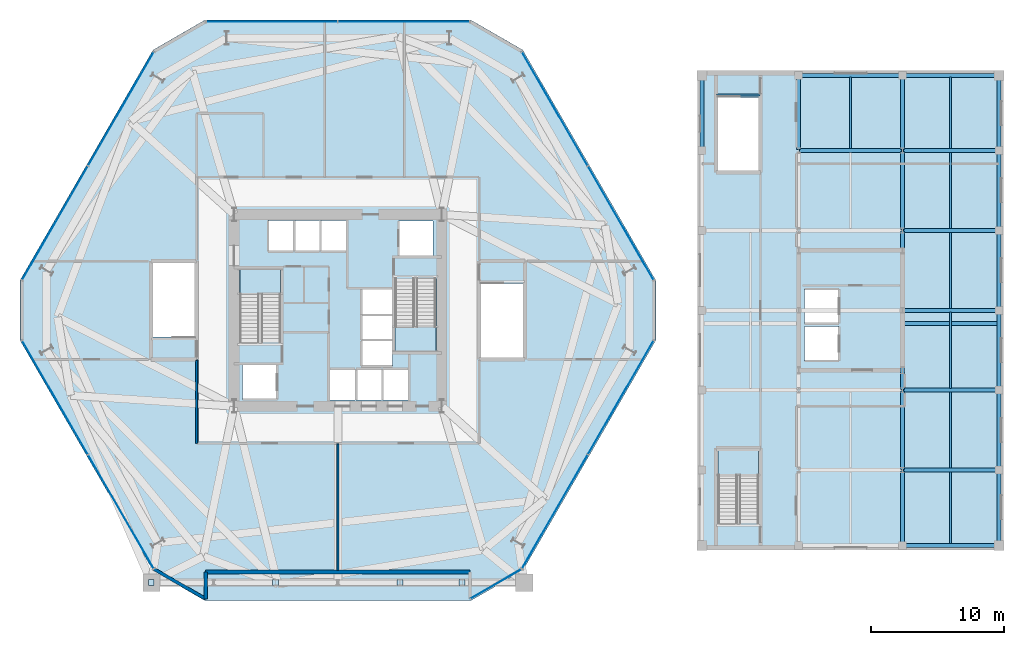
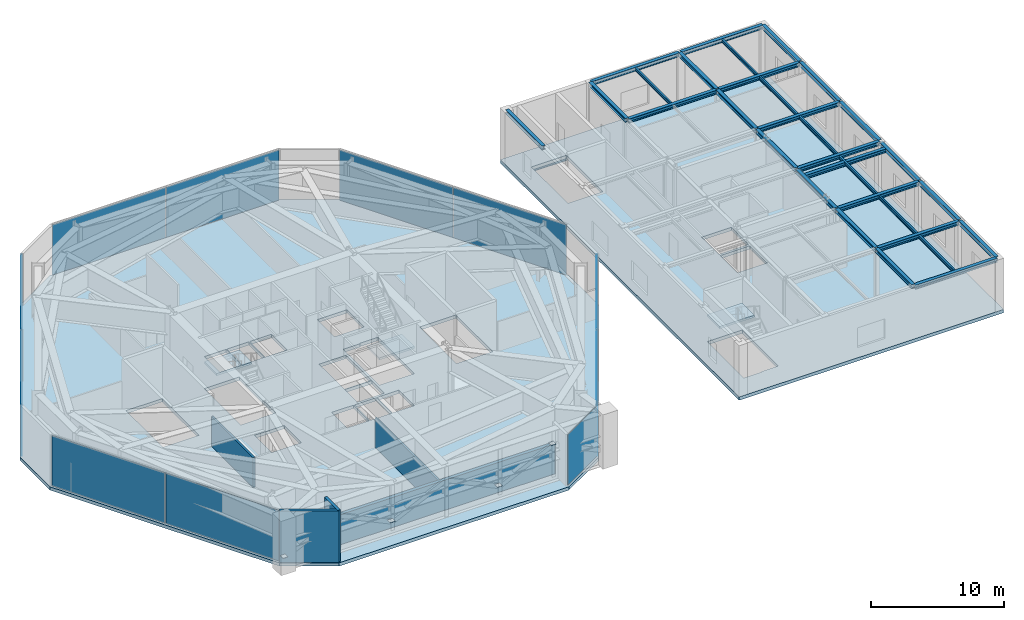
# One storey, part 10 of 16: 32 beams, 15 plates, 5 slabs, 5 walls, 9 elements without a shape of their own.
"""IFC4 building model written with IfcOpenShell, lengths in metres."""

from ifc_helpers import new_model, si_unit, direction, frame, frame_2d, origin, origin_2d, place, context, subcontext, project, spatial, polyline, rectangle, i_section, outline, extrude, material, layer, layer_set, material_profile, profile_set, type_object, element, aggregate, save


model = new_model("IFC4")

# Units and contexts
model_context = context("Model", 3, precision=1e-05, world=origin(), true_north=direction((0.0, 1.0)))
body_context = subcontext(model_context, "Body", "Model", "MODEL_VIEW")
ifc_project = project(units=[si_unit("LENGTHUNIT", "METRE"), si_unit("AREAUNIT", "SQUARE_METRE"), si_unit("VOLUMEUNIT", "CUBIC_METRE"), si_unit("PLANEANGLEUNIT", "RADIAN"), si_unit("MASSUNIT", "GRAM", prefix="KILO")], contexts=[model_context])

# Site, building, storey
site_placement = place(None, origin())
site = spatial("IfcSite", under=ifc_project, at=site_placement, CompositionType="ELEMENT")
building_placement = place(site_placement, origin())
building = spatial("IfcBuilding", under=site, at=building_placement, Name="Kranzbogen Civic Tower", CompositionType="ELEMENT")
storey_placement = place(building_placement, frame((0.0, 0.0, 19.0)))
storey = spatial("IfcBuildingStorey", under=building, at=storey_placement, Name="L04", CompositionType="ELEMENT", Elevation=19.0)

# Beams
ifc_material_1 = material(Name="Steel S355", Category="steel")
ifc_material_profile_1 = material_profile(ifc_material_1, i_section(OverallWidth=0.300048828125, OverallDepth=0.360107421875, WebThickness=0.012451171875, FlangeThickness=0.0224609375, at=origin_2d()), Name="HEB 360")
ifc_profile_set_1 = profile_set([ifc_material_profile_1], Name="Steel S355")
beam_type_1 = type_object("IfcBeamType", Name="Health Centre Primary Floor Beam HEB 360", PredefinedType="BEAM", material=ifc_profile_set_1)
for number, where, z_axis, x_axis, name in (
    (1, (67.4599609375, 24.0, 4.550048828125), (1.0, 0.0, 0.0), (0.0, 1.0, 0.0), "L04 Health Centre terr edge beam 3"),
    (2, (67.4599609375, 7.35009765625, 4.550048828125), (1.0, 0.0, 0.0), (0.0, 1.0, 0.0), "L04 Health Centre X girder 3-1"),
    (3, (67.4599609375, 13.0, 4.550048828125), (1.0, 0.0, 0.0), (0.0, 1.0, 0.0), "L04 Health Centre X girder 3-2"),
    (4, (67.4599609375, 19.0, 4.550048828125), (1.0, 0.0, 0.0), (0.0, 1.0, 0.0), "L04 Health Centre X girder 3-3"),
    (5, (67.4599609375, 25.0, 4.590087890625), (1.0, 0.0, 0.0), (0.0, 1.0, 0.0), "L04 Health Centre X girder 3-4"),
    (6, (67.4599609375, 31.0, 4.590087890625), (1.0, 0.0, 0.0), (0.0, 1.0, 0.0), "L04 Health Centre X girder 3-5"),
):
    element("IfcBeam", number, at=place(storey_placement, frame(where, z_axis=z_axis, x_axis=x_axis)), inside=storey, type_object=beam_type_1, Name=name, PredefinedType="BEAM", context=body_context, shape_type="SweptSolid", body=[
        extrude(i_section(OverallWidth=0.300048828125, OverallDepth=0.360107421875, WebThickness=0.012451171875, FlangeThickness=0.0224609375, at=origin_2d()), origin(), (0.0, 0.0, 1.0), 7.130126953125),
    ])
beam_1_placement = place(storey_placement, frame((59.659912109375, 37.0, 4.590087890625), z_axis=(1.0, 0.0, 0.0), x_axis=(0.0, 1.0, 0.0)))
element("IfcBeam", 7, at=beam_1_placement, inside=storey, type_object=beam_type_1, Name="L04 Health Centre X girder 2-6", PredefinedType="BEAM", context=body_context, shape_type="SweptSolid", body=[
    extrude(i_section(OverallWidth=0.300048828125, OverallDepth=0.360107421875, WebThickness=0.012451171875, FlangeThickness=0.0224609375, at=origin_2d()), origin(), (0.0, 0.0, 1.0), 7.68017578125),
])
beam_2_placement = place(storey_placement, frame((67.4599609375, 37.0, 4.590087890625), z_axis=(1.0, 0.0, 0.0), x_axis=(0.0, 1.0, 0.0)))
element("IfcBeam", 8, at=beam_2_placement, inside=storey, type_object=beam_type_1, Name="L04 Health Centre X girder 3-6", PredefinedType="BEAM", context=body_context, shape_type="SweptSolid", body=[
    extrude(i_section(OverallWidth=0.300048828125, OverallDepth=0.360107421875, WebThickness=0.012451171875, FlangeThickness=0.0224609375, at=origin_2d()), origin(), (0.0, 0.0, 1.0), 7.130126953125),
])
beam_3_placement = place(storey_placement, frame((59.659912109375, 42.64990234375, 4.590087890625), z_axis=(1.0, 0.0, 0.0), x_axis=(0.0, 1.0, 0.0)))
element("IfcBeam", 9, at=beam_3_placement, inside=storey, type_object=beam_type_1, Name="L04 Health Centre X girder 2-7", PredefinedType="BEAM", context=body_context, shape_type="SweptSolid", body=[
    extrude(i_section(OverallWidth=0.300048828125, OverallDepth=0.360107421875, WebThickness=0.012451171875, FlangeThickness=0.0224609375, at=origin_2d()), origin(), (0.0, 0.0, 1.0), 7.68017578125),
])
beam_4_placement = place(storey_placement, frame((67.4599609375, 42.64990234375, 4.590087890625), z_axis=(1.0, 0.0, 0.0), x_axis=(0.0, 1.0, 0.0)))
element("IfcBeam", 10, at=beam_4_placement, inside=storey, type_object=beam_type_1, Name="L04 Health Centre X girder 3-7", PredefinedType="BEAM", context=body_context, shape_type="SweptSolid", body=[
    extrude(i_section(OverallWidth=0.300048828125, OverallDepth=0.360107421875, WebThickness=0.012451171875, FlangeThickness=0.0224609375, at=origin_2d()), origin(), (0.0, 0.0, 1.0), 7.130126953125),
])
for number, where, z_axis, x_axis, name in (
    (11, (67.39990234375, 7.409912109375, 4.550048828125), (0.0, 1.0, 0.0), (-1.0, 0.0, 0.0), "L04 Health Centre Y girder 3-1"),
    (12, (74.64990234375, 7.409912109375, 4.550048828125), (0.0, 1.0, 0.0), (-1.0, 0.0, 0.0), "L04 Health Centre Y girder 4-1"),
):
    element("IfcBeam", number, at=place(storey_placement, frame(where, z_axis=z_axis, x_axis=x_axis)), inside=storey, type_object=beam_type_1, Name=name, PredefinedType="BEAM", context=body_context, shape_type="SweptSolid", body=[
        extrude(i_section(OverallWidth=0.300048828125, OverallDepth=0.360107421875, WebThickness=0.012451171875, FlangeThickness=0.0224609375, at=origin_2d()), origin(), (0.0, 0.0, 1.0), 5.530029296875),
    ])
for number, where, z_axis, x_axis, name in (
    (13, (67.39990234375, 13.06005859375, 4.550048828125), (0.0, 1.0, 0.0), (-1.0, 0.0, 0.0), "L04 Health Centre Y girder 3-2"),
    (14, (74.64990234375, 13.06005859375, 4.550048828125), (0.0, 1.0, 0.0), (-1.0, 0.0, 0.0), "L04 Health Centre Y girder 4-2"),
    (15, (67.39990234375, 19.06005859375, 4.550048828125), (0.0, 1.0, 0.0), (-1.0, 0.0, 0.0), "L04 Health Centre Y girder 3-3"),
    (16, (74.64990234375, 19.06005859375, 4.550048828125), (0.0, 1.0, 0.0), (-1.0, 0.0, 0.0), "L04 Health Centre Y girder 4-3"),
    (17, (67.39990234375, 25.06005859375, 4.590087890625), (0.0, 1.0, 0.0), (-1.0, 0.0, 0.0), "L04 Health Centre Y girder 3-4"),
    (18, (74.64990234375, 25.06005859375, 4.590087890625), (0.0, 1.0, 0.0), (-1.0, 0.0, 0.0), "L04 Health Centre Y girder 4-4"),
    (19, (67.39990234375, 31.06005859375, 4.590087890625), (0.0, 1.0, 0.0), (-1.0, 0.0, 0.0), "L04 Health Centre Y girder 3-5"),
    (20, (74.64990234375, 31.06005859375, 4.590087890625), (0.0, 1.0, 0.0), (-1.0, 0.0, 0.0), "L04 Health Centre Y girder 4-5"),
):
    element("IfcBeam", number, at=place(storey_placement, frame(where, z_axis=z_axis, x_axis=x_axis)), inside=storey, type_object=beam_type_1, Name=name, PredefinedType="BEAM", context=body_context, shape_type="SweptSolid", body=[
        extrude(i_section(OverallWidth=0.300048828125, OverallDepth=0.360107421875, WebThickness=0.012451171875, FlangeThickness=0.0224609375, at=origin_2d()), origin(), (0.0, 0.0, 1.0), 5.8798828125),
    ])
for number, where, z_axis, x_axis, name in (
    (21, (52.35009765625, 37.06005859375, 4.590087890625), (0.0, 1.0, 0.0), (-1.0, 0.0, 0.0), "L04 Health Centre Y girder 1-6"),
    (22, (59.60009765625, 37.06005859375, 4.590087890625), (0.0, 1.0, 0.0), (-1.0, 0.0, 0.0), "L04 Health Centre Y girder 2-6"),
    (23, (67.39990234375, 37.06005859375, 4.590087890625), (0.0, 1.0, 0.0), (-1.0, 0.0, 0.0), "L04 Health Centre Y girder 3-6"),
    (24, (74.64990234375, 37.06005859375, 4.590087890625), (0.0, 1.0, 0.0), (-1.0, 0.0, 0.0), "L04 Health Centre Y girder 4-6"),
):
    element("IfcBeam", number, at=place(storey_placement, frame(where, z_axis=z_axis, x_axis=x_axis)), inside=storey, type_object=beam_type_1, Name=name, PredefinedType="BEAM", context=body_context, shape_type="SweptSolid", body=[
        extrude(i_section(OverallWidth=0.300048828125, OverallDepth=0.360107421875, WebThickness=0.012451171875, FlangeThickness=0.0224609375, at=origin_2d()), origin(), (0.0, 0.0, 1.0), 5.530029296875),
    ])
ifc_material_profile_2 = material_profile(ifc_material_1, i_section(OverallWidth=0.14990234375, OverallDepth=0.300048828125, WebThickness=0.007080078125, FlangeThickness=0.0107421875, at=origin_2d()), Name="IPE 300")
ifc_profile_set_2 = profile_set([ifc_material_profile_2], Name="Steel S355")
beam_type_2 = type_object("IfcBeamType", Name="Health Centre Secondary Joist IPE 300", PredefinedType="JOIST", material=ifc_profile_set_2)
beam_5_placement = place(storey_placement, frame((71.02490234375, 7.489990234375, 4.580078125), z_axis=(0.0, 1.0, 0.0), x_axis=(-1.0, 0.0, 0.0)))
element("IfcBeam", 25, at=beam_5_placement, inside=storey, type_object=beam_type_2, Name="L04 Health Centre secondary joist 3-1", PredefinedType="JOIST", context=body_context, shape_type="SweptSolid", body=[
    extrude(i_section(OverallWidth=0.14990234375, OverallDepth=0.300048828125, WebThickness=0.007080078125, FlangeThickness=0.0107421875, at=origin_2d()), origin(), (0.0, 0.0, 1.0), 5.3701171875),
])
for number, where, z_axis, x_axis, name in (
    (26, (71.02490234375, 13.139892578125, 4.580078125), (0.0, 1.0, 0.0), (-1.0, 0.0, 0.0), "L04 Health Centre secondary joist 3-2"),
    (27, (71.02490234375, 19.139892578125, 4.580078125), (0.0, 1.0, 0.0), (-1.0, 0.0, 0.0), "L04 Health Centre secondary joist 3-3"),
    (28, (71.02490234375, 25.139892578125, 4.6201171875), (0.0, 1.0, 0.0), (-1.0, 0.0, 0.0), "L04 Health Centre secondary joist 3-4"),
    (29, (71.02490234375, 31.139892578125, 4.6201171875), (0.0, 1.0, 0.0), (-1.0, 0.0, 0.0), "L04 Health Centre secondary joist 3-5"),
):
    element("IfcBeam", number, at=place(storey_placement, frame(where, z_axis=z_axis, x_axis=x_axis)), inside=storey, type_object=beam_type_2, Name=name, PredefinedType="JOIST", context=body_context, shape_type="SweptSolid", body=[
        extrude(i_section(OverallWidth=0.14990234375, OverallDepth=0.300048828125, WebThickness=0.007080078125, FlangeThickness=0.0107421875, at=origin_2d()), origin(), (0.0, 0.0, 1.0), 5.72021484375),
    ])
for number, where, z_axis, x_axis, name in (
    (30, (63.5, 37.139892578125, 4.6201171875), (0.0, 1.0, 0.0), (-1.0, 0.0, 0.0), "L04 Health Centre secondary joist 2-6"),
    (31, (71.02490234375, 37.139892578125, 4.6201171875), (0.0, 1.0, 0.0), (-1.0, 0.0, 0.0), "L04 Health Centre secondary joist 3-6"),
):
    element("IfcBeam", number, at=place(storey_placement, frame(where, z_axis=z_axis, x_axis=x_axis)), inside=storey, type_object=beam_type_2, Name=name, PredefinedType="JOIST", context=body_context, shape_type="SweptSolid", body=[
        extrude(i_section(OverallWidth=0.14990234375, OverallDepth=0.300048828125, WebThickness=0.007080078125, FlangeThickness=0.0107421875, at=origin_2d()), origin(), (0.0, 0.0, 1.0), 5.3701171875),
    ])
ifc_material_profile_3 = material_profile(ifc_material_1, i_section(OverallWidth=0.135009765625, OverallDepth=0.27001953125, WebThickness=0.006591796875, FlangeThickness=0.01025390625, at=origin_2d()), Name="IPE 270")
ifc_profile_set_3 = profile_set([ifc_material_profile_3], Name="Steel S355")
beam_type_3 = type_object("IfcBeamType", Name="Stair Landing Support Beam IPE 270", PredefinedType="JOIST", material=ifc_profile_set_3)
beam_6_placement = place(storey_placement, frame((53.449951171875, 41.159912109375, -0.43505859375), z_axis=(1.0, 0.0, 0.0), x_axis=(0.0, 1.0, 0.0)))
element("IfcBeam", 32, at=beam_6_placement, inside=storey, type_object=beam_type_3, Name="L04 ST-H2 stair floor header beam", PredefinedType="JOIST", context=body_context, shape_type="SweptSolid", body=[
    extrude(i_section(OverallWidth=0.135009765625, OverallDepth=0.27001953125, WebThickness=0.006591796875, FlangeThickness=0.01025390625, at=origin_2d()), origin(), (0.0, 0.0, 1.0), 3.25),
])

# Slabs
ifc_material_2 = material(Name="Concrete C40/50", Category="concrete")
ifc_layer_1 = layer(ifc_material_2, 0.300048828125, Name="Concrete C40/50")
ifc_layer_set_1 = layer_set([ifc_layer_1], Name="Concrete C40/50")
slab_type_1 = type_object("IfcSlabType", Name="Composite Transfer and Plant Floor Slab 300 mm", PredefinedType="FLOOR", material=ifc_layer_set_1)
slab_1_placement = place(storey_placement, frame((0.0, 0.0, -0.300048828125)))
element("IfcSlab", 33, at=slab_1_placement, inside=storey, type_object=slab_type_1, Name="L04 tower floor slab", PredefinedType="FLOOR", context=body_context, shape_type="SweptSolid", body=[
    extrude(outline(polyline([(48.873046875, 27.25), (38.885009765625, 44.550048828125), (34.988037109375, 46.800048828125), (15.011962890625, 46.800048828125), (11.114990234375, 44.550048828125), (1.126953125, 27.25), (1.126953125, 22.75), (11.114990234375, 5.449951171875), (15.011962890625, 3.199951171875), (34.988037109375, 3.199951171875), (38.885009765625, 5.449951171875), (48.873046875, 22.75), (48.873046875, 27.25)]), holes=[polyline([(26.300048828125, 18.25), (24.39990234375, 18.25), (24.39990234375, 20.60009765625), (26.300048828125, 20.60009765625), (26.300048828125, 18.25)]), polyline([(28.27490234375, 18.25), (26.375, 18.25), (26.375, 20.60009765625), (28.27490234375, 20.60009765625), (28.27490234375, 18.25)]), polyline([(20.449951171875, 18.300048828125), (17.85009765625, 18.300048828125), (17.85009765625, 20.89990234375), (20.449951171875, 20.89990234375), (20.449951171875, 18.300048828125)]), polyline([(29.10009765625, 22.77490234375), (26.75, 22.77490234375), (26.75, 24.64990234375), (26.75, 24.675048828125), (26.75, 26.550048828125), (29.10009765625, 26.550048828125), (29.10009765625, 24.675048828125), (29.10009765625, 24.64990234375), (29.10009765625, 22.77490234375)]), polyline([(19.25, 22.659912109375), (19.25, 22.60009765625), (17.64990234375, 22.60009765625), (17.64990234375, 28.10009765625), (20.699951171875, 28.10009765625), (20.699951171875, 22.659912109375), (19.25, 22.659912109375)]), polyline([(14.25, 23.0), (11.10009765625, 23.0), (11.10009765625, 28.550048828125), (14.25, 28.550048828125), (14.25, 23.0)]), polyline([(19.75, 29.39990234375), (19.75, 31.75), (21.64990234375, 31.75), (21.64990234375, 29.39990234375), (19.75, 29.39990234375)]), polyline([(21.72509765625, 29.39990234375), (21.72509765625, 31.75), (23.625, 31.75), (23.625, 29.39990234375), (21.72509765625, 29.39990234375)]), polyline([(25.60009765625, 29.39990234375), (23.699951171875, 29.39990234375), (23.699951171875, 31.75), (25.60009765625, 31.75), (25.60009765625, 29.39990234375)]), polyline([(30.25, 18.25), (28.35009765625, 18.25), (28.35009765625, 20.60009765625), (30.25, 20.60009765625), (30.25, 18.25)]), polyline([(26.75, 20.800048828125), (26.75, 22.699951171875), (29.10009765625, 22.699951171875), (29.10009765625, 20.800048828125), (26.75, 20.800048828125)]), polyline([(35.75, 27.0), (38.89990234375, 27.0), (38.89990234375, 21.449951171875), (35.75, 21.449951171875), (35.75, 27.0)]), polyline([(30.75, 27.340087890625), (30.75, 27.39990234375), (32.35009765625, 27.39990234375), (32.35009765625, 21.89990234375), (29.300048828125, 21.89990234375), (29.300048828125, 27.340087890625), (30.75, 27.340087890625)]), polyline([(29.550048828125, 29.10009765625), (29.550048828125, 31.699951171875), (32.14990234375, 31.699951171875), (32.14990234375, 29.10009765625), (29.550048828125, 29.10009765625)])]), origin(), (0.0, 0.0, 1.0), 0.300048828125),
])
slab_2_placement = place(storey_placement, frame((0.0, 0.0, -0.300048828125)))
element("IfcSlab", 34, at=slab_2_placement, inside=storey, type_object=slab_type_1, Name="L04 Community Health Centre floor slab", PredefinedType="FLOOR", context=body_context, shape_type="SweptSolid", body=[
    extrude(outline(polyline([(75.0, 7.0), (75.0, 43.0), (52.0, 43.0), (52.0, 7.0), (75.0, 7.0)]), holes=[polyline([(55.14990234375, 9.06005859375), (55.14990234375, 9.0), (53.550048828125, 9.0), (53.550048828125, 14.5), (56.60009765625, 14.5), (56.60009765625, 9.06005859375), (55.14990234375, 9.06005859375)]), polyline([(60.050048828125, 21.199951171875), (60.050048828125, 23.800048828125), (62.64990234375, 23.800048828125), (62.64990234375, 21.199951171875), (60.050048828125, 21.199951171875)]), polyline([(62.64990234375, 24.0), (60.050048828125, 24.0), (60.050048828125, 26.60009765625), (62.64990234375, 26.60009765625), (62.64990234375, 24.0)]), polyline([(56.60009765625, 41.0), (56.60009765625, 35.5), (53.550048828125, 35.5), (53.550048828125, 41.0), (56.60009765625, 41.0)])]), origin(), (0.0, 0.0, 1.0), 0.300048828125),
])

# Plates
ifc_layer_2 = layer(ifc_material_1, 0.02490234375, Name="Steel S355")
ifc_layer_set_2 = layer_set([ifc_layer_2], Name="Steel S355")
plate_type_1 = type_object("IfcPlateType", Name="Hollow Section Sealed End Cap Plate 440x440x25", PredefinedType="SHEET", material=ifc_layer_set_2)
for number, where, z_axis, x_axis, name in (
    (35, (10.989013671875, 4.550048828125, 1.1826171875), (0.0, 0.0, 1.0), (1.0, 0.0, 0.0), "DG-400: L04 portal arch diagonal 1 end cap 1"),
    (36, (20.322021484375, 4.550048828125, 1.1826171875), (0.0, 0.0, 1.0), (1.0, 0.0, 0.0), "DG-400: L04 portal arch diagonal 3 end cap 1"),
    (37, (29.656005859375, 4.550048828125, 1.1826171875), (0.0, 0.0, 1.0), (1.0, 0.0, 0.0), "DG-400: L04 portal arch diagonal 5 end cap 1"),
    (38, (34.322998046875, 4.550048828125, 3.392578125), (0.0, 0.0, 1.0), (-1.0, 0.0, 0.0), "DG-400: L04 portal arch diagonal 6 end cap 2"),
):
    element("IfcPlate", number, at=place(storey_placement, frame(where, z_axis=z_axis, x_axis=x_axis)), inside=storey, type_object=plate_type_1, Name=name, PredefinedType="SHEET", context=body_context, shape_type="SweptSolid", body=[
        extrude(rectangle(XDim=0.43994140625, YDim=0.43994140625, at=origin_2d()), origin(), (0.0, 0.0, 1.0), 0.02490234375),
    ])

# Curtain wall, plate
ifc_material_3 = material(Name="Pale Anodised Aluminium", Category="aluminium")
ifc_layer_3 = layer(ifc_material_3, 0.219970703125, Name="Pale Anodised Aluminium")
ifc_layer_set_3 = layer_set([ifc_layer_3], Name="Pale Anodised Aluminium")
curtain_wall_type_1 = type_object("IfcCurtainWallType", Name="Chamfer Facet Stick Curtain Wall System CW-06", PredefinedType="USERDEFINED", material=ifc_layer_set_3)
curtain_wall_1_placement = place(storey_placement, origin())
curtain_wall_1 = element("IfcCurtainWall", 39, at=curtain_wall_1_placement, inside=storey, type_object=curtain_wall_type_1, Name="L04 curtain wall CW-L04-C5", ObjectType="STICK CURTAIN WALL", PredefinedType="USERDEFINED")
ifc_material_4 = material(Name="Low-E Triple Glazing Glass", Category="glass")
ifc_layer_4 = layer(ifc_material_4, 0.02587890625, Name="Low-E Triple Glazing Glass")
ifc_layer_set_4 = layer_set([ifc_layer_4], Name="Low-E Triple Glazing Glass")
plate_type_2 = type_object("IfcPlateType", Name="Insulated Low-E Glazing Panel 26 mm", PredefinedType="CURTAIN_PANEL", material=ifc_layer_set_4)
plate_1_placement = place(storey_placement, frame((36.866943359375, 4.445556640625, 0.06005859375), z_axis=(0.0, 0.0, 1.0), x_axis=(0.865992001897, 0.500057849305, 0.0)))
plate_1 = element("IfcPlate", 40, at=plate_1_placement, type_object=plate_type_2, Name="CW-06 panel 1.1", PredefinedType="CURTAIN_PANEL", context=body_context, shape_type="SweptSolid", body=[
    extrude(rectangle(XDim=4.353515625, YDim=0.028076171875, at=origin_2d()), origin(), (0.0, 0.0, 1.0), 4.639892578125),
])
aggregate(curtain_wall_1, [plate_1])

# Curtain wall, plates
ifc_layer_5 = layer(ifc_material_3, 0.219970703125, Name="Pale Anodised Aluminium")
ifc_layer_set_5 = layer_set([ifc_layer_5], Name="Pale Anodised Aluminium")
curtain_wall_type_2 = type_object("IfcCurtainWallType", Name="Podium Stick Curtain Wall System CW-01", PredefinedType="USERDEFINED", material=ifc_layer_set_5)
curtain_wall_2_placement = place(storey_placement, origin())
curtain_wall_2 = element("IfcCurtainWall", 41, at=curtain_wall_2_placement, inside=storey, type_object=curtain_wall_type_2, Name="L04 curtain wall CW-L04-F1", ObjectType="STICK CURTAIN WALL", PredefinedType="USERDEFINED")
ifc_layer_6 = layer(ifc_material_4, 0.035888671875, Name="Low-E Triple Glazing Glass")
ifc_layer_set_6 = layer_set([ifc_layer_6], Name="Low-E Triple Glazing Glass")
plate_type_3 = type_object("IfcPlateType", Name="Insulated Low-E Glazing Panel 36 mm", PredefinedType="CURTAIN_PANEL", material=ifc_layer_set_6)
plate_2_placement = place(storey_placement, frame((46.243896484375, 31.5498046875, 0.06005859375), z_axis=(0.0, 0.0, 1.0), x_axis=(-0.500005767433, 0.86602207393, 0.0)))
plate_2 = element("IfcPlate", 42, at=plate_2_placement, type_object=plate_type_3, Name="CW-01 panel 1.1", PredefinedType="CURTAIN_PANEL", context=body_context, shape_type="SweptSolid", body=[
    extrude(rectangle(XDim=9.83984375, YDim=0.028076171875, at=origin_2d()), origin(), (0.0, 0.0, 1.0), 4.639892578125),
])
plate_3_placement = place(storey_placement, frame((41.2939453125, 40.123291015625, 0.06005859375), z_axis=(0.0, 0.0, 1.0), x_axis=(-0.500005767433, 0.86602207393, 0.0)))
plate_3 = element("IfcPlate", 43, at=plate_3_placement, type_object=plate_type_3, Name="CW-01 panel 2.1", PredefinedType="CURTAIN_PANEL", context=body_context, shape_type="SweptSolid", body=[
    extrude(rectangle(XDim=9.83984375, YDim=0.028076171875, at=origin_2d()), origin(), (0.0, 0.0, 1.0), 4.639892578125),
])
aggregate(curtain_wall_2, [plate_2, plate_3])

curtain_wall_3_placement = place(storey_placement, origin())
curtain_wall_3 = element("IfcCurtainWall", 44, at=curtain_wall_3_placement, inside=storey, type_object=curtain_wall_type_2, Name="L04 curtain wall CW-L04-F2", ObjectType="STICK CURTAIN WALL", PredefinedType="USERDEFINED")
plate_4_placement = place(storey_placement, frame((29.949951171875, 46.673095703125, 0.06005859375), z_axis=(0.0, 0.0, 1.0), x_axis=(-1.0, 0.0, 0.0)))
plate_4 = element("IfcPlate", 45, at=plate_4_placement, type_object=plate_type_3, Name="CW-01 panel 1.1", PredefinedType="CURTAIN_PANEL", context=body_context, shape_type="SweptSolid", body=[
    extrude(rectangle(XDim=9.840087890625, YDim=0.028076171875, at=origin_2d()), origin(), (0.0, 0.0, 1.0), 4.639892578125),
])
plate_5_placement = place(storey_placement, frame((20.050048828125, 46.673095703125, 0.06005859375), z_axis=(0.0, 0.0, 1.0), x_axis=(-1.0, 0.0, 0.0)))
plate_5 = element("IfcPlate", 46, at=plate_5_placement, type_object=plate_type_3, Name="CW-01 panel 2.1", PredefinedType="CURTAIN_PANEL", context=body_context, shape_type="SweptSolid", body=[
    extrude(rectangle(XDim=9.840087890625, YDim=0.028076171875, at=origin_2d()), origin(), (0.0, 0.0, 1.0), 4.639892578125),
])
aggregate(curtain_wall_3, [plate_4, plate_5])

curtain_wall_4_placement = place(storey_placement, origin())
curtain_wall_4 = element("IfcCurtainWall", 47, at=curtain_wall_4_placement, inside=storey, type_object=curtain_wall_type_2, Name="L04 curtain wall CW-L04-F3", ObjectType="STICK CURTAIN WALL", PredefinedType="USERDEFINED")
plate_6_placement = place(storey_placement, frame((8.7060546875, 40.123291015625, 0.06005859375), z_axis=(0.0, 0.0, 1.0), x_axis=(-0.500005767433, -0.86602207393, 0.0)))
plate_6 = element("IfcPlate", 48, at=plate_6_placement, type_object=plate_type_3, Name="CW-01 panel 1.1", PredefinedType="CURTAIN_PANEL", context=body_context, shape_type="SweptSolid", body=[
    extrude(rectangle(XDim=9.83984375, YDim=0.028076171875, at=origin_2d()), origin(), (0.0, 0.0, 1.0), 4.639892578125),
])
plate_7_placement = place(storey_placement, frame((3.756103515625, 31.5498046875, 0.06005859375), z_axis=(0.0, 0.0, 1.0), x_axis=(-0.500005767433, -0.86602207393, 0.0)))
plate_7 = element("IfcPlate", 49, at=plate_7_placement, type_object=plate_type_3, Name="CW-01 panel 2.1", PredefinedType="CURTAIN_PANEL", context=body_context, shape_type="SweptSolid", body=[
    extrude(rectangle(XDim=9.83984375, YDim=0.028076171875, at=origin_2d()), origin(), (0.0, 0.0, 1.0), 4.639892578125),
])
aggregate(curtain_wall_4, [plate_6, plate_7])

curtain_wall_5_placement = place(storey_placement, origin())
curtain_wall_5 = element("IfcCurtainWall", 50, at=curtain_wall_5_placement, inside=storey, type_object=curtain_wall_type_2, Name="L04 curtain wall CW-L04-F4", ObjectType="STICK CURTAIN WALL", PredefinedType="USERDEFINED")
plate_8_placement = place(storey_placement, frame((3.756103515625, 18.4501953125, 0.06005859375), z_axis=(0.0, 0.0, 1.0), x_axis=(0.500005767433, -0.86602207393, 0.0)))
plate_8 = element("IfcPlate", 51, at=plate_8_placement, type_object=plate_type_3, Name="CW-01 panel 1.1", PredefinedType="CURTAIN_PANEL", context=body_context, shape_type="SweptSolid", body=[
    extrude(rectangle(XDim=9.83984375, YDim=0.028076171875, at=origin_2d()), origin(), (0.0, 0.0, 1.0), 4.639892578125),
])
plate_9_placement = place(storey_placement, frame((8.7060546875, 9.876708984375, 0.06005859375), z_axis=(0.0, 0.0, 1.0), x_axis=(0.500005767433, -0.86602207393, 0.0)))
plate_9 = element("IfcPlate", 52, at=plate_9_placement, type_object=plate_type_3, Name="CW-01 panel 2.1", PredefinedType="CURTAIN_PANEL", context=body_context, shape_type="SweptSolid", body=[
    extrude(rectangle(XDim=9.83984375, YDim=0.028076171875, at=origin_2d()), origin(), (0.0, 0.0, 1.0), 4.639892578125),
])
aggregate(curtain_wall_5, [plate_8, plate_9])

curtain_wall_6_placement = place(storey_placement, origin())
curtain_wall_6 = element("IfcCurtainWall", 53, at=curtain_wall_6_placement, inside=storey, type_object=curtain_wall_type_2, Name="L04 curtain wall CW-L04-F6", ObjectType="STICK CURTAIN WALL", PredefinedType="USERDEFINED")
plate_10_placement = place(storey_placement, frame((41.2939453125, 9.876708984375, 0.06005859375), z_axis=(0.0, 0.0, 1.0), x_axis=(0.500005767433, 0.86602207393, 0.0)))
plate_10 = element("IfcPlate", 54, at=plate_10_placement, type_object=plate_type_3, Name="CW-01 panel 1.1", PredefinedType="CURTAIN_PANEL", context=body_context, shape_type="SweptSolid", body=[
    extrude(rectangle(XDim=9.83984375, YDim=0.028076171875, at=origin_2d()), origin(), (0.0, 0.0, 1.0), 4.639892578125),
])
plate_11_placement = place(storey_placement, frame((46.243896484375, 18.4501953125, 0.06005859375), z_axis=(0.0, 0.0, 1.0), x_axis=(0.500005767433, 0.86602207393, 0.0)))
plate_11 = element("IfcPlate", 55, at=plate_11_placement, type_object=plate_type_3, Name="CW-01 panel 2.1", PredefinedType="CURTAIN_PANEL", context=body_context, shape_type="SweptSolid", body=[
    extrude(rectangle(XDim=9.83984375, YDim=0.028076171875, at=origin_2d()), origin(), (0.0, 0.0, 1.0), 4.639892578125),
])
aggregate(curtain_wall_6, [plate_10, plate_11])

# Stair, slab
ifc_material_5 = material(Name="Precast concrete C40/50", Category="concrete")
stair_type_1 = type_object("IfcStairType", Name="Tower Core Pressurized Dogleg Stair 1450", PredefinedType="HALF_TURN_STAIR", material=ifc_material_5)
stair_1_placement = place(storey_placement, origin())
stair_1 = element("IfcStair", 56, at=stair_1_placement, inside=storey, type_object=stair_type_1, Name="L04 Tower Core Pressurized Stair 1", PredefinedType="HALF_TURN_STAIR")
ifc_layer_7 = layer(ifc_material_5, 0.199951171875, Name="Precast concrete C40/50")
ifc_layer_set_7 = layer_set([ifc_layer_7], Name="Precast concrete C40/50")
slab_type_2 = type_object("IfcSlabType", Name="Precast Concrete Stair Landing Slab 200 mm", PredefinedType="LANDING", material=ifc_layer_set_7)
slab_3_placement = place(storey_placement, frame((0.0, 0.0, 2.300048828125)))
slab_3 = element("IfcSlab", 57, at=slab_3_placement, type_object=slab_type_2, Name="ST-T1 landing 1", PredefinedType="LANDING", context=body_context, shape_type="SweptSolid", body=[
    extrude(outline(polyline([(20.699951171875, 26.239990234375), (20.699951171875, 28.10009765625), (17.64990234375, 28.10009765625), (17.64990234375, 26.239990234375), (20.699951171875, 26.239990234375)])), origin(), (0.0, 0.0, 1.0), 0.199951171875),
])
aggregate(stair_1, [slab_3])

stair_type_2 = type_object("IfcStairType", Name="Tower Core Secondary Dogleg Stair 1450", PredefinedType="HALF_TURN_STAIR", material=ifc_material_5)
stair_2_placement = place(storey_placement, origin())
stair_2 = element("IfcStair", 58, at=stair_2_placement, inside=storey, type_object=stair_type_2, Name="L04 Tower Core Pressurized Stair 2", PredefinedType="HALF_TURN_STAIR")
slab_4_placement = place(storey_placement, frame((0.0, 0.0, 2.300048828125)))
slab_4 = element("IfcSlab", 59, at=slab_4_placement, type_object=slab_type_2, Name="ST-T2 landing 1", PredefinedType="LANDING", context=body_context, shape_type="SweptSolid", body=[
    extrude(outline(polyline([(29.300048828125, 23.760009765625), (29.300048828125, 21.89990234375), (32.35009765625, 21.89990234375), (32.35009765625, 23.760009765625), (29.300048828125, 23.760009765625)])), origin(), (0.0, 0.0, 1.0), 0.199951171875),
])
aggregate(stair_2, [slab_4])

stair_type_3 = type_object("IfcStairType", Name="Health Centre Escape Dogleg Stair 1450", PredefinedType="HALF_TURN_STAIR", material=ifc_material_5)
stair_3_placement = place(storey_placement, origin())
stair_3 = element("IfcStair", 60, at=stair_3_placement, inside=storey, type_object=stair_type_3, Name="L04 Health Centre Escape Stair 1", PredefinedType="HALF_TURN_STAIR")
slab_5_placement = place(storey_placement, frame((0.0, 0.0, 2.300048828125)))
slab_5 = element("IfcSlab", 61, at=slab_5_placement, type_object=slab_type_2, Name="ST-H1 landing 1", PredefinedType="LANDING", context=body_context, shape_type="SweptSolid", body=[
    extrude(outline(polyline([(56.60009765625, 12.639892578125), (56.60009765625, 14.5), (53.550048828125, 14.5), (53.550048828125, 12.639892578125), (56.60009765625, 12.639892578125)])), origin(), (0.0, 0.0, 1.0), 0.199951171875),
])
aggregate(stair_3, [slab_5])

# Walls
ifc_material_6 = material(Name="Double-Stud Acoustic Gypsum Partition")
ifc_layer_8 = layer(ifc_material_6, 0.14990234375, Name="Double-Stud Acoustic Gypsum Partition")
ifc_layer_set_8 = layer_set([ifc_layer_8], Name="Double-Stud Acoustic Gypsum Partition")
wall_type_1 = type_object("IfcWallType", Name="Acoustic Corridor and Clinical Partition 150 mm", PredefinedType="PARTITIONING", material=ifc_layer_set_8)
wall_1_placement = place(storey_placement, frame((14.39990234375, 15.0, 0.0), z_axis=(0.0, 0.0, 1.0), x_axis=(0.0, 1.0, 0.0)))
element("IfcWall", 62, at=wall_1_placement, inside=storey, type_object=wall_type_1, Name="L04 podium concourse W1 wall", PredefinedType="PARTITIONING", context=body_context, shape_type="SweptSolid", body=[
    extrude(rectangle(XDim=6.25, YDim=0.14990234375, at=frame_2d((3.125, 0.0))), origin(), (0.0, 0.0, 1.0), 2.760009765625),
])
wall_2_placement = place(storey_placement, frame((25.0, 5.469970703125, 0.0), z_axis=(0.0, 0.0, 1.0), x_axis=(0.0, 1.0, 0.0)))
element("IfcWall", 63, at=wall_2_placement, inside=storey, type_object=wall_type_1, Name="L04 podium partition 10", PredefinedType="PARTITIONING", context=body_context, shape_type="SweptSolid", body=[
    extrude(rectangle(XDim=9.5, YDim=0.14990234375, at=frame_2d((4.75, 0.0))), origin(), (0.0, 0.0, 1.0), 2.760009765625),
])
ifc_layer_9 = layer(ifc_material_3, 0.239990234375, Name="Pale Anodised Aluminium")
ifc_layer_set_9 = layer_set([ifc_layer_9], Name="Pale Anodised Aluminium")
wall_type_2 = type_object("IfcWallType", Name="Insulated Aluminium Facade Portal Wall 240 mm", PredefinedType="STANDARD", material=ifc_layer_set_9)
wall_3_placement = place(storey_placement, frame((11.196044921875, 5.56396484375, 0.0), z_axis=(0.0, 0.0, 1.0), x_axis=(0.865987450899, -0.500065730564, 0.0)))
element("IfcWall", 64, at=wall_3_placement, inside=storey, type_object=wall_type_2, Name="L04 chamfered corner facade spandrel 4", PredefinedType="STANDARD", context=body_context, shape_type="SweptSolid", body=[
    extrude(rectangle(XDim=4.4736328125, YDim=0.239990234375, at=frame_2d((2.23681640625, 0.0))), origin(), (0.0, 0.0, 1.0), 4.760009765625),
])
wall_4_placement = place(storey_placement, frame((15.070068359375, 3.326904296875, 0.0), z_axis=(0.0, 0.0, 1.0), x_axis=(0.0, 1.0, 0.0)))
element("IfcWall", 65, at=wall_4_placement, inside=storey, type_object=wall_type_2, Name="L04 portal colonnade West return wall", PredefinedType="STANDARD", context=body_context, shape_type="SweptSolid", body=[
    extrude(rectangle(XDim=2.023193359375, YDim=0.239990234375, at=frame_2d((1.01171875, 0.0))), origin(), (0.0, 0.0, 1.0), 4.760009765625),
])
ifc_layer_10 = layer(ifc_material_3, 0.280029296875, Name="Pale Anodised Aluminium")
ifc_layer_set_10 = layer_set([ifc_layer_10], Name="Pale Anodised Aluminium")
wall_type_3 = type_object("IfcWallType", Name="Plant Acoustic Insulated Spandrel Wall 280 mm", PredefinedType="STANDARD", material=ifc_layer_set_10)
wall_5_placement = place(storey_placement, frame((15.070068359375, 5.35009765625, 0.0), z_axis=(0.0, 0.0, 1.0), x_axis=(1.0, 0.0, 0.0)))
element("IfcWall", 66, at=wall_5_placement, inside=storey, type_object=wall_type_3, Name="L04 South portal insulated spandrel wall", PredefinedType="STANDARD", context=body_context, shape_type="SweptSolid", body=[
    extrude(rectangle(XDim=19.85986328125, YDim=0.280029296875, at=frame_2d((9.929931640625, 0.0))), origin(), (0.0, 0.0, 1.0), 2.760009765625),
])

save(model, "model.ifc")
